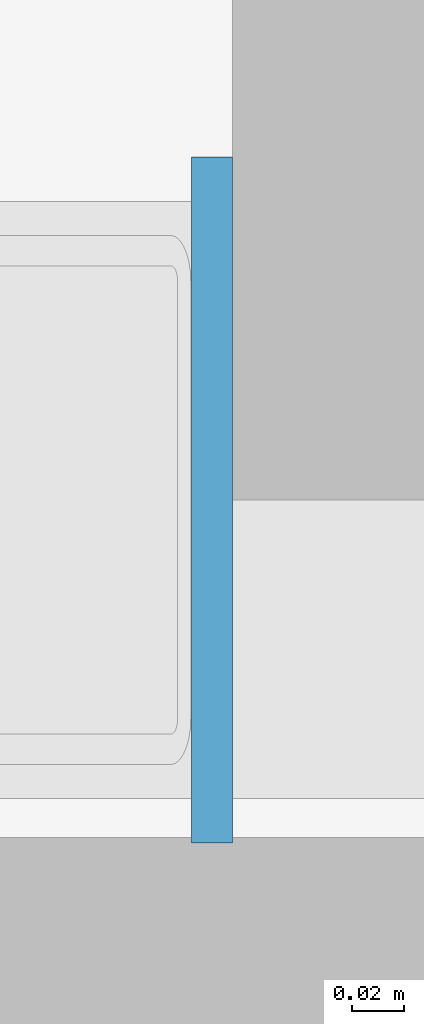
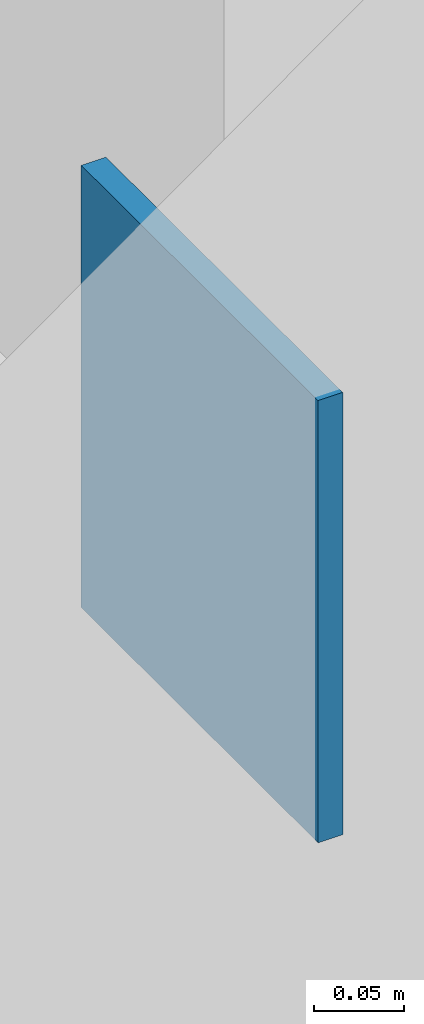
# One storey, part 66 of 116: 1 plate.
"""IFC4 building model written with IfcOpenShell, lengths in metres."""

import ifcopenshell
import ifcopenshell.guid

model = None  # the IFC model being written
_history = None  # IfcOwnerHistory: only IFC2X3 demands one
_inside = {}  # id of a spatial element -> (the spatial element, [elements in it])
_under = {}  # id of a project, library or spatial element -> (it, [spatial elements below it])
_declared = {}  # id of a project -> (the project, [libraries it declares])
_typed = {}  # id of a type object -> (the type object, [elements of that type])
_made_of = {}  # id of a material, layer set ... -> (it, [elements and type objects made of it])


def new_model(schema):
    """Start an empty IFC model of exactly this schema.

    Asked for "IFC4X3", IfcOpenShell would pick the latest addendum, in which some entities
    have other attributes; the version numbers below select the first issue.
    IFC2X3 requires an IfcOwnerHistory on every rooted entity: one is made here for all.
    """
    global model, _history
    if schema == "IFC4X3":
        model = ifcopenshell.file(schema_version=(4, 3, 0, 0))
    else:
        model = ifcopenshell.file(schema=schema)
    _inside.clear()
    _under.clear()
    _declared.clear()
    _typed.clear()
    _made_of.clear()
    _history = None
    if model.schema == "IFC2X3":
        org = make("IfcOrganization", Name="unknown")
        user = make(
            "IfcPersonAndOrganization",
            ThePerson=make("IfcPerson", FamilyName="unknown"),
            TheOrganization=org,
        )
        app = make(
            "IfcApplication",
            ApplicationDeveloper=org,
            Version="unknown",
            ApplicationFullName="unknown",
            ApplicationIdentifier="unknown",
        )
        _history = make(
            "IfcOwnerHistory",
            OwningUser=user,
            OwningApplication=app,
            ChangeAction="ADDED",
            CreationDate=0,
        )
    return model


def make(cls, **values):
    """One entity of the class cls with the attributes given. An attribute that is None is left unset."""
    return model.create_entity(
        cls, **{name: value for name, value in values.items() if value is not None}
    )


def rooted(cls, **values):
    """An entity with a GlobalId (a new one), such as an element, a storey or a relation."""
    return make(cls, GlobalId=ifcopenshell.guid.new(), OwnerHistory=_history, **values)


def si_unit(unit_type, name, prefix=None):
    """IfcSIUnit, for example si_unit("LENGTHUNIT", "METRE", prefix="MILLI")."""
    return make("IfcSIUnit", UnitType=unit_type, Prefix=prefix, Name=name)


def assignment(units):
    """IfcUnitAssignment: the units of a project."""
    return None if units is None else make("IfcUnitAssignment", Units=units)


def point(xyz):
    """IfcCartesianPoint."""
    return None if xyz is None else make("IfcCartesianPoint", Coordinates=xyz)


def direction(xyz):
    """IfcDirection."""
    return None if xyz is None else make("IfcDirection", DirectionRatios=xyz)


def frame(location, z_axis=None, x_axis=None):
    """IfcAxis2Placement3D, a coordinate frame: its origin and axes. An axis left out is left unset."""
    return make(
        "IfcAxis2Placement3D",
        Location=point(location),
        Axis=direction(z_axis),
        RefDirection=direction(x_axis),
    )


def frame_2d(location, x_axis=None):
    """IfcAxis2Placement2D, a coordinate frame in the plane: its origin and x axis."""
    return make(
        "IfcAxis2Placement2D", Location=point(location), RefDirection=direction(x_axis)
    )


def origin():
    """The frame at (0, 0, 0) with its axes left unset."""
    return frame((0.0, 0.0, 0.0))


def origin_2d():
    """The frame at (0, 0) in the plane with its x axis left unset."""
    return frame_2d((0.0, 0.0))


def place(relative_to, where):
    """IfcLocalPlacement: puts the frame where relative to a parent placement (None: the world)."""
    return make(
        "IfcLocalPlacement", PlacementRelTo=relative_to, RelativePlacement=where
    )


def context(
    kind, dimensions, precision=None, world=None, true_north=None, identifier=None
):
    """IfcGeometricRepresentationContext, for example the 3D "Model" context."""
    return make(
        "IfcGeometricRepresentationContext",
        ContextIdentifier=identifier,
        ContextType=kind,
        CoordinateSpaceDimension=dimensions,
        Precision=precision,
        WorldCoordinateSystem=world,
        TrueNorth=true_north,
    )


def subcontext(parent, identifier, kind, view, scale=None):
    """IfcGeometricRepresentationSubContext, for example "Body" below "Model"."""
    return make(
        "IfcGeometricRepresentationSubContext",
        ContextIdentifier=identifier,
        ContextType=kind,
        ParentContext=parent,
        TargetScale=scale,
        TargetView=view,
    )


def project(units=None, contexts=None):
    """IfcProject with its units and contexts."""
    return rooted(
        "IfcProject",
        Name="project",
        RepresentationContexts=contexts,
        UnitsInContext=assignment(units),
    )


def spatial(cls, under=None, at=None, **own):
    """A site, building, storey or space (cls), placed at a placement, below another one or the project."""
    s = rooted(cls, ObjectPlacement=at, **own)
    if under is not None:
        _under.setdefault(under.id(), (under, []))[1].append(s)
    return s


def profile(cls, at=None, kind="AREA", **sizes):
    """A parametric profile (cls). Its sizes go by their IFC names, for example OverallWidth=200.0."""
    return make(cls, ProfileType=kind, Position=at, **sizes)


def rectangle(**sizes):
    """IfcRectangleProfileDef."""
    return profile("IfcRectangleProfileDef", **sizes)


def extrude(swept, where, along, depth):
    """IfcExtrudedAreaSolid: the profile swept, set in the frame where, extruded along a direction by depth."""
    return make(
        "IfcExtrudedAreaSolid",
        SweptArea=swept,
        Position=where,
        ExtrudedDirection=direction(along),
        Depth=depth,
    )


def shape(context_of_items, identifier, shape_type, items):
    """IfcShapeRepresentation: the items that make up one representation, for example the "Body"."""
    return make(
        "IfcShapeRepresentation",
        ContextOfItems=context_of_items,
        RepresentationIdentifier=identifier,
        RepresentationType=shape_type,
        Items=items,
    )


def material(Name=None, Category=None):
    """IfcMaterial."""
    return make("IfcMaterial", Name=Name, Category=Category)


def layer(
    of_material, thickness, ventilated=None, Name=None, Category=None, Priority=None
):
    """IfcMaterialLayer: one layer of a wall or slab, of a material (None: an air gap)."""
    return make(
        "IfcMaterialLayer",
        Material=of_material,
        LayerThickness=thickness,
        IsVentilated=ventilated,
        Name=Name,
        Category=Category,
        Priority=Priority,
    )


def layer_set(layers, Name=None):
    """IfcMaterialLayerSet."""
    return make("IfcMaterialLayerSet", MaterialLayers=layers, LayerSetName=Name)


def made_of(thing, what):
    """Note that an element or type object is made of a material, layer set ...; save() writes the relation."""
    if what is not None:
        _made_of.setdefault(what.id(), (what, []))[1].append(thing)
    return thing


def type_object(cls, material=None, **own):
    """A type object (cls), such as IfcWallType, which elements share."""
    return made_of(rooted(cls, **own), material)


def element(
    cls,
    number,
    at=None,
    inside=None,
    cuts=None,
    type_object=None,
    material=None,
    context=None,
    identifier="Body",
    shape_type=None,
    held_by="IfcProductDefinitionShape",
    body=None,
    shapes=None,
    **own,
):
    """One element of the class cls, such as IfcWall. Its Tag is "e" and its number.

    at: its placement. inside: the storey or other place that contains it. cuts: it is an
    opening in that element (IfcRelVoidsElement). A single representation is given by context,
    identifier, shape_type and body (its items); several are given by shapes. held_by: the class
    of the entity that holds the representations. save() writes the other relations.
    """
    e = rooted(cls, Tag="e%d" % number, ObjectPlacement=at, **own)
    if body is not None:
        shapes = [shape(context, identifier, shape_type, body)]
    if shapes is not None:
        e.Representation = make(held_by, Representations=shapes)
    if inside is not None:
        _inside.setdefault(inside.id(), (inside, []))[1].append(e)
    if cuts is not None:
        rooted(
            "IfcRelVoidsElement", RelatingBuildingElement=cuts, RelatedOpeningElement=e
        )
    if type_object is not None:
        _typed.setdefault(type_object.id(), (type_object, []))[1].append(e)
    return made_of(e, material)


def aggregate(whole, parts):
    """IfcRelAggregates: a whole, such as a stair, and the parts it consists of."""
    return rooted("IfcRelAggregates", RelatingObject=whole, RelatedObjects=parts)


def save(model, path):
    """Write the relations noted so far, then the file.

    IfcRelAggregates (storeys below a building ...), IfcRelContainedInSpatialStructure (elements
    in a storey), IfcRelDefinesByType, IfcRelAssociatesMaterial and IfcRelDeclares: one each for
    every whole, place, type object, material and project.
    """
    for whole, parts in _under.values():
        aggregate(whole, parts)
    for where, things in _inside.values():
        rooted(
            "IfcRelContainedInSpatialStructure",
            RelatedElements=things,
            RelatingStructure=where,
        )
    for kind, things in _typed.values():
        rooted("IfcRelDefinesByType", RelatedObjects=things, RelatingType=kind)
    for what, things in _made_of.values():
        rooted("IfcRelAssociatesMaterial", RelatedObjects=things, RelatingMaterial=what)
    for by, libraries in _declared.values():
        rooted("IfcRelDeclares", RelatingContext=by, RelatedDefinitions=libraries)
    model.write(path)


model = new_model("IFC4")

# Units and contexts
model_context = context("Model", 3, precision=1e-05, world=origin(), true_north=direction((0.0, 1.0)))
body_context = subcontext(model_context, "Body", "Model", "MODEL_VIEW")
ifc_project = project(units=[si_unit("LENGTHUNIT", "METRE"), si_unit("AREAUNIT", "SQUARE_METRE"), si_unit("VOLUMEUNIT", "CUBIC_METRE"), si_unit("PLANEANGLEUNIT", "RADIAN"), si_unit("MASSUNIT", "GRAM", prefix="KILO")], contexts=[model_context])

# Site, building, storey
site_placement = place(None, origin())
site = spatial("IfcSite", under=ifc_project, at=site_placement, CompositionType="ELEMENT")
building_placement = place(site_placement, origin())
building = spatial("IfcBuilding", under=site, at=building_placement, Name="Ljudholm Concert House", CompositionType="ELEMENT")
storey_placement = place(building_placement, frame((0.0, 0.0, 10.199951171875)))
storey = spatial("IfcBuildingStorey", under=building, at=storey_placement, Name="L02", CompositionType="ELEMENT", Elevation=10.199951171875)

# Plate
ifc_material = material(Name="Steel ASTM A36", Category="steel")
ifc_layer = layer(ifc_material, 0.015869140625)
ifc_layer_set = layer_set([ifc_layer], Name="Steel ASTM A36")
plate_type = type_object("IfcPlateType", Name="EMBED PLATE 16x263x300", PredefinedType="SHEET", material=ifc_layer_set)
plate_placement = place(storey_placement, frame((118.192138671875, 4.0, 2.51416015625), z_axis=(0.0, 0.0, 1.0), x_axis=(1.0, 0.0, 0.0)))
element("IfcPlate", 1, at=plate_placement, inside=storey, type_object=plate_type, Name="Brace embed plate", PredefinedType="SHEET", context=body_context, shape_type="SweptSolid", body=[
    extrude(rectangle(XDim=0.015869140625, YDim=0.26318359375, at=origin_2d()), origin(), (0.0, 0.0, 1.0), 0.300048828125),
])

save(model, "model.ifc")
